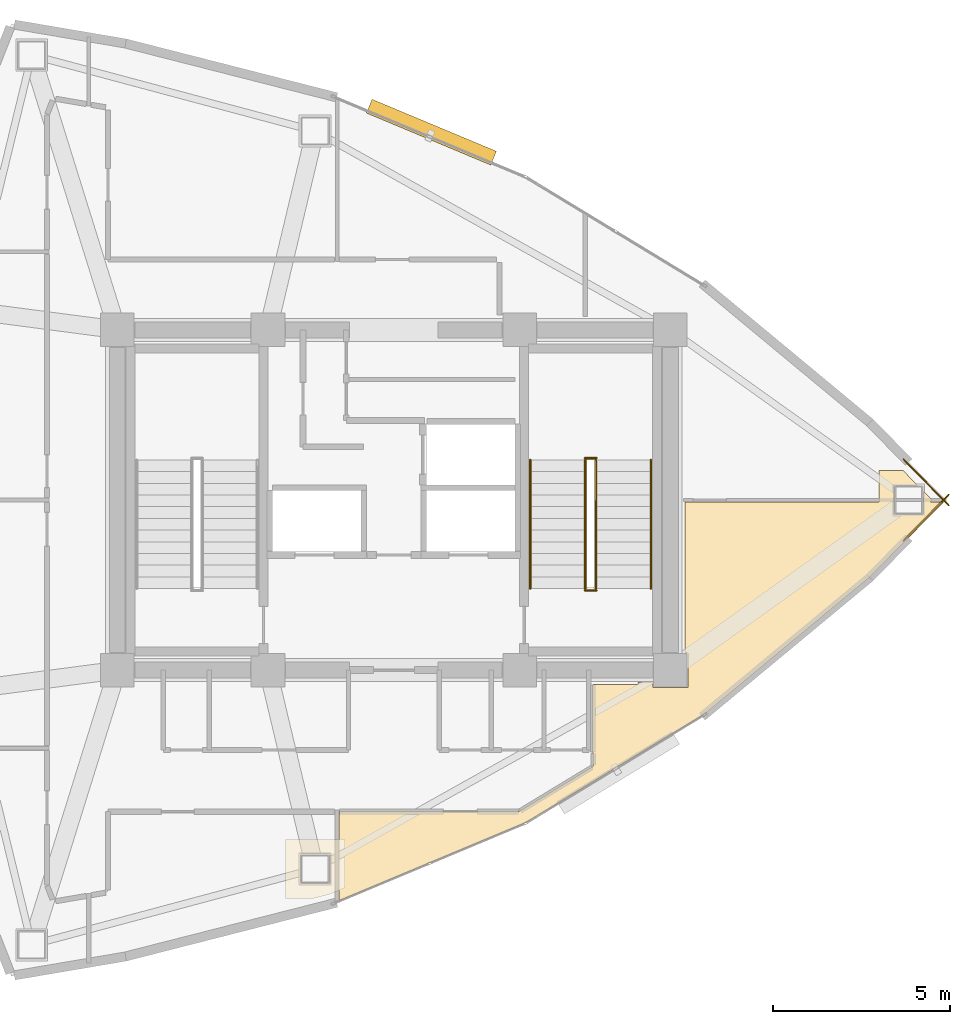
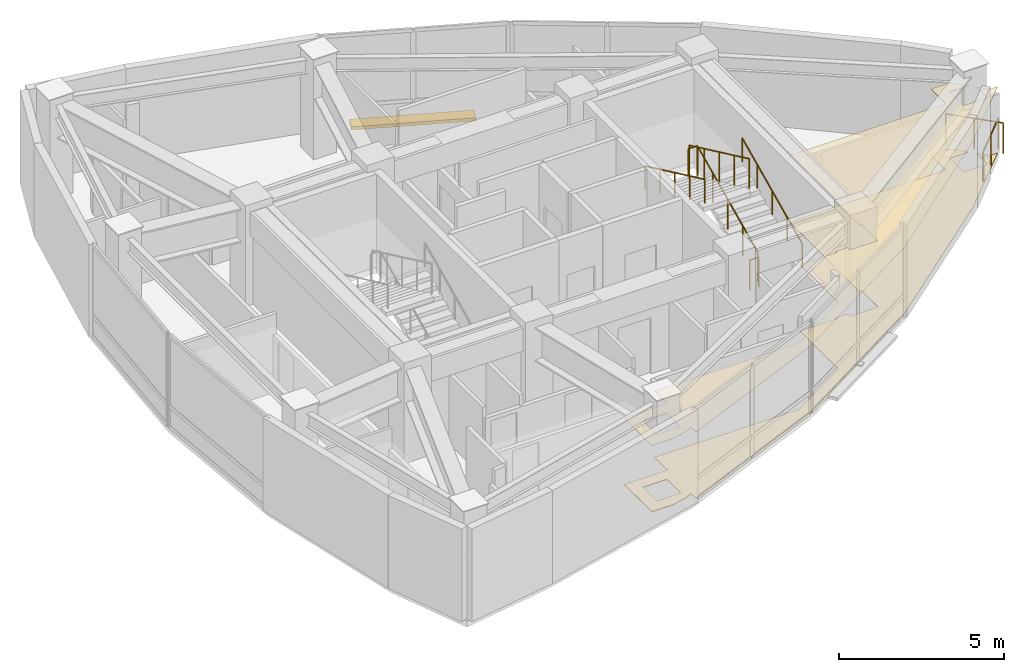
# One storey, part 15 of 15: 8 railings, 2 coverings, 1 shading device.
"""IFC4 building model written with IfcOpenShell, lengths in metres."""

from ifc_helpers import new_model, si_unit, direction, frame, origin, origin_2d, place, context, subcontext, project, spatial, polyline, rectangle, circle, outline, extrude, material, layer, layer_set, type_object, element, save


model = new_model("IFC4")

# Units and contexts
model_context = context("Model", 3, precision=1e-05, world=origin(), true_north=direction((0.0, 1.0)))
body_context = subcontext(model_context, "Body", "Model", "MODEL_VIEW")
ifc_project = project(units=[si_unit("LENGTHUNIT", "METRE"), si_unit("AREAUNIT", "SQUARE_METRE"), si_unit("VOLUMEUNIT", "CUBIC_METRE"), si_unit("PLANEANGLEUNIT", "RADIAN"), si_unit("MASSUNIT", "GRAM", prefix="KILO")], contexts=[model_context])

# Site, building, storey
site_placement = place(None, origin())
site = spatial("IfcSite", under=ifc_project, at=site_placement, CompositionType="ELEMENT")
building_placement = place(site_placement, origin())
building = spatial("IfcBuilding", under=site, at=building_placement, Name="Menara Vayukalpa", CompositionType="ELEMENT")
storey_placement = place(building_placement, frame((0.0, 0.0, 295.5)))
storey = spatial("IfcBuildingStorey", under=building, at=storey_placement, Name="L75", CompositionType="ELEMENT", Elevation=295.5)

# Coverings
ifc_material_1 = material(Name="Mineral Fibre Acoustic Ceiling Tile", Category="masonry")
ifc_layer_1 = layer(ifc_material_1, 0.02490234375)
ifc_layer_set_1 = layer_set([ifc_layer_1], Name="Mineral Fibre Acoustic Ceiling Tile")
covering_type_1 = type_object("IfcCoveringType", Name="COV-CLG1", PredefinedType="CEILING", material=ifc_layer_set_1)
covering_1_placement = place(storey_placement, frame((0.0, 0.0, 2.449951171875)))
element("IfcCovering", 1, at=covering_1_placement, inside=storey, type_object=covering_type_1, Name="L75 Visitor Reception Lounge Acoustic Ceiling", PredefinedType="CEILING", context=body_context, shape_type="SweptSolid", body=[
    extrude(outline(polyline([(24.06005859375, 13.2099609375), (24.06005859375, 13.2109375), (24.060302734375, 13.2119140625), (24.060302734375, 13.212890625), (24.060791015625, 13.2138671875), (24.061279296875, 13.214599609375), (24.061767578125, 13.215576171875), (24.062255859375, 13.21630859375), (24.06298828125, 13.217041015625), (24.063720703125, 13.2177734375), (24.064453125, 13.21826171875), (24.065185546875, 13.21875), (24.066162109375, 13.21923828125), (24.067138671875, 13.219482421875), (24.068115234375, 13.2197265625), (24.069091796875, 13.219970703125), (24.070068359375, 13.219970703125), (29.109619140625, 13.219970703125), (29.11669921875, 13.220458984375), (29.12353515625, 13.221435546875), (29.13037109375, 13.22314453125), (29.13720703125, 13.2255859375), (29.153076171875, 13.232177734375), (29.157958984375, 13.234375), (29.16259765625, 13.237060546875), (31.18603515625, 14.46630859375), (31.1923828125, 14.470458984375), (31.19775390625, 14.47509765625), (31.20263671875, 14.480224609375), (31.20703125, 14.48583984375), (31.2109375, 14.491943359375), (31.214111328125, 14.498291015625), (31.216552734375, 14.5048828125), (31.218505859375, 14.511962890625), (31.219482421875, 14.51904296875), (31.219970703125, 14.5263671875), (31.219970703125, 14.849609375), (31.219482421875, 14.856689453125), (31.21875, 14.86376953125), (31.217041015625, 14.870361328125), (31.214599609375, 14.876708984375), (31.2119140625, 14.8828125), (31.211669921875, 14.883056640625), (31.211181640625, 14.8837890625), (31.210693359375, 14.884765625), (31.21044921875, 14.8857421875), (31.210205078125, 14.88671875), (31.2099609375, 14.8876953125), (31.2099609375, 14.888671875), (31.2099609375, 16.780029296875), (31.2099609375, 16.781005859375), (31.210205078125, 16.781982421875), (31.21044921875, 16.782958984375), (31.210693359375, 16.78369140625), (31.211181640625, 16.78466796875), (31.211669921875, 16.78564453125), (31.21240234375, 16.786376953125), (31.212890625, 16.787109375), (31.213623046875, 16.78759765625), (31.21435546875, 16.788330078125), (31.21533203125, 16.788818359375), (31.21630859375, 16.789306640625), (31.217041015625, 16.78955078125), (31.218017578125, 16.789794921875), (31.218994140625, 16.7900390625), (31.219970703125, 16.7900390625), (32.489990234375, 16.7900390625), (32.489990234375, 16.85009765625), (32.909912109375, 16.85009765625), (32.909912109375, 16.7099609375), (33.889892578125, 16.7099609375), (33.889892578125, 17.68994140625), (33.81005859375, 17.68994140625), (33.81005859375, 21.929931640625), (33.81005859375, 21.930908203125), (33.810302734375, 21.931884765625), (33.810302734375, 21.932861328125), (33.810791015625, 21.933837890625), (33.811279296875, 21.934814453125), (33.811767578125, 21.935546875), (33.812255859375, 21.936279296875), (33.81298828125, 21.93701171875), (33.813720703125, 21.937744140625), (33.814453125, 21.938232421875), (33.815185546875, 21.938720703125), (33.816162109375, 21.939208984375), (33.817138671875, 21.939697265625), (33.818115234375, 21.939697265625), (33.819091796875, 21.93994140625), (33.820068359375, 21.93994140625), (39.286865234375, 21.93994140625), (39.286865234375, 22.8349609375), (39.959716796875, 22.8349609375), (40.3720703125, 22.4150390625), (39.706787109375, 22.4150390625), (39.706787109375, 21.5849609375), (40.536865234375, 21.5849609375), (40.536865234375, 22.2470703125), (40.779541015625, 22.0), (40.720703125, 21.93994140625), (41.0751953125, 21.93994140625), (41.076171875, 21.93994140625), (41.076904296875, 21.939697265625), (41.077880859375, 21.939697265625), (41.078857421875, 21.939208984375), (41.079833984375, 21.938720703125), (41.08056640625, 21.938232421875), (41.081298828125, 21.937744140625), (41.08203125, 21.93701171875), (41.082763671875, 21.936279296875), (41.08349609375, 21.935546875), (41.083984375, 21.934814453125), (41.084228515625, 21.933837890625), (41.084716796875, 21.93310546875), (41.0849609375, 21.931884765625), (41.0849609375, 21.930908203125), (41.085205078125, 21.93017578125), (41.085205078125, 21.92919921875), (41.0849609375, 21.927978515625), (41.084716796875, 21.92724609375), (41.08447265625, 21.92626953125), (41.083984375, 21.92529296875), (41.08349609375, 21.924560546875), (41.0830078125, 21.923583984375), (41.082275390625, 21.923095703125), (39.021240234375, 19.82373046875), (39.0205078125, 19.822998046875), (34.374755859375, 15.97021484375), (34.37353515625, 15.969482421875), (29.3271484375, 12.904052734375), (29.326416015625, 12.90380859375), (29.32568359375, 12.9033203125), (24.073974609375, 10.70654296875), (24.072998046875, 10.7060546875), (24.072021484375, 10.705810546875), (24.071044921875, 10.705810546875), (24.070068359375, 10.705810546875), (24.069091796875, 10.705810546875), (24.068115234375, 10.705810546875), (24.067138671875, 10.7060546875), (24.066162109375, 10.70654296875), (24.065185546875, 10.706787109375), (24.064453125, 10.70751953125), (24.063720703125, 10.7080078125), (24.06298828125, 10.70849609375), (24.062255859375, 10.709228515625), (24.061767578125, 10.710205078125), (24.061279296875, 10.7109375), (24.060791015625, 10.7119140625), (24.060302734375, 10.712890625), (24.060302734375, 10.713623046875), (24.06005859375, 10.714599609375), (24.06005859375, 10.7158203125), (24.06005859375, 10.993408203125), (23.7919921875, 10.881103515625), (23.3173828125, 10.76025390625), (22.546875, 10.76025390625), (22.546875, 12.43017578125), (24.06005859375, 12.43017578125), (24.06005859375, 13.2099609375)]), holes=[polyline([(23.796875, 12.01025390625), (22.966796875, 12.01025390625), (22.966796875, 11.18017578125), (23.796875, 11.18017578125), (23.796875, 12.01025390625)])]), origin(), (0.0, 0.0, 1.0), 0.025146484375),
])
ifc_material_2 = material(Name="Porcelain Stoneware Floor Tile", Category="masonry")
ifc_layer_2 = layer(ifc_material_2, 0.02001953125)
ifc_layer_set_2 = layer_set([ifc_layer_2], Name="Porcelain Stoneware Floor Tile")
covering_type_2 = type_object("IfcCoveringType", Name="COV-FLR1", PredefinedType="FLOORING", material=ifc_layer_set_2)
covering_2_placement = place(storey_placement, origin())
element("IfcCovering", 2, at=covering_2_placement, inside=storey, type_object=covering_type_2, Name="L75 Visitor Reception Lounge Porcelain Flooring", PredefinedType="FLOORING", context=body_context, shape_type="SweptSolid", body=[
    extrude(outline(polyline([(24.06005859375, 13.2099609375), (24.06005859375, 13.2109375), (24.060302734375, 13.2119140625), (24.060302734375, 13.212890625), (24.060791015625, 13.2138671875), (24.061279296875, 13.214599609375), (24.061767578125, 13.215576171875), (24.062255859375, 13.21630859375), (24.06298828125, 13.217041015625), (24.063720703125, 13.2177734375), (24.064453125, 13.21826171875), (24.065185546875, 13.21875), (24.066162109375, 13.21923828125), (24.067138671875, 13.219482421875), (24.068115234375, 13.2197265625), (24.069091796875, 13.219970703125), (24.070068359375, 13.219970703125), (29.109619140625, 13.219970703125), (29.11669921875, 13.220458984375), (29.12353515625, 13.221435546875), (29.13037109375, 13.22314453125), (29.13720703125, 13.2255859375), (29.153076171875, 13.232177734375), (29.157958984375, 13.234375), (29.16259765625, 13.237060546875), (31.18603515625, 14.46630859375), (31.1923828125, 14.470458984375), (31.19775390625, 14.47509765625), (31.20263671875, 14.480224609375), (31.20703125, 14.48583984375), (31.2109375, 14.491943359375), (31.214111328125, 14.498291015625), (31.216552734375, 14.5048828125), (31.218505859375, 14.511962890625), (31.219482421875, 14.51904296875), (31.219970703125, 14.5263671875), (31.219970703125, 14.849609375), (31.219482421875, 14.856689453125), (31.21875, 14.86376953125), (31.217041015625, 14.870361328125), (31.214599609375, 14.876708984375), (31.2119140625, 14.8828125), (31.211669921875, 14.883056640625), (31.211181640625, 14.8837890625), (31.210693359375, 14.884765625), (31.21044921875, 14.8857421875), (31.210205078125, 14.88671875), (31.2099609375, 14.8876953125), (31.2099609375, 14.888671875), (31.2099609375, 16.780029296875), (31.2099609375, 16.781005859375), (31.210205078125, 16.781982421875), (31.21044921875, 16.782958984375), (31.210693359375, 16.78369140625), (31.211181640625, 16.78466796875), (31.211669921875, 16.78564453125), (31.21240234375, 16.786376953125), (31.212890625, 16.787109375), (31.213623046875, 16.78759765625), (31.21435546875, 16.788330078125), (31.21533203125, 16.788818359375), (31.21630859375, 16.789306640625), (31.217041015625, 16.78955078125), (31.218017578125, 16.789794921875), (31.218994140625, 16.7900390625), (31.219970703125, 16.7900390625), (32.489990234375, 16.7900390625), (32.489990234375, 16.85009765625), (32.909912109375, 16.85009765625), (32.909912109375, 16.7099609375), (33.889892578125, 16.7099609375), (33.889892578125, 17.68994140625), (33.81005859375, 17.68994140625), (33.81005859375, 21.929931640625), (33.81005859375, 21.930908203125), (33.810302734375, 21.931884765625), (33.810302734375, 21.932861328125), (33.810791015625, 21.933837890625), (33.811279296875, 21.934814453125), (33.811767578125, 21.935546875), (33.812255859375, 21.936279296875), (33.81298828125, 21.93701171875), (33.813720703125, 21.937744140625), (33.814453125, 21.938232421875), (33.815185546875, 21.938720703125), (33.816162109375, 21.939208984375), (33.817138671875, 21.939697265625), (33.818115234375, 21.939697265625), (33.819091796875, 21.93994140625), (33.820068359375, 21.93994140625), (39.286865234375, 21.93994140625), (39.286865234375, 22.8349609375), (39.959716796875, 22.8349609375), (40.3720703125, 22.4150390625), (39.706787109375, 22.4150390625), (39.706787109375, 21.5849609375), (40.536865234375, 21.5849609375), (40.536865234375, 22.2470703125), (40.779541015625, 22.0), (40.720703125, 21.93994140625), (41.0751953125, 21.93994140625), (41.076171875, 21.93994140625), (41.076904296875, 21.939697265625), (41.077880859375, 21.939697265625), (41.078857421875, 21.939208984375), (41.079833984375, 21.938720703125), (41.08056640625, 21.938232421875), (41.081298828125, 21.937744140625), (41.08203125, 21.93701171875), (41.082763671875, 21.936279296875), (41.08349609375, 21.935546875), (41.083984375, 21.934814453125), (41.084228515625, 21.933837890625), (41.084716796875, 21.93310546875), (41.0849609375, 21.931884765625), (41.0849609375, 21.930908203125), (41.085205078125, 21.93017578125), (41.085205078125, 21.92919921875), (41.0849609375, 21.927978515625), (41.084716796875, 21.92724609375), (41.08447265625, 21.92626953125), (41.083984375, 21.92529296875), (41.08349609375, 21.924560546875), (41.0830078125, 21.923583984375), (41.082275390625, 21.923095703125), (39.021240234375, 19.82373046875), (39.0205078125, 19.822998046875), (34.374755859375, 15.97021484375), (34.37353515625, 15.969482421875), (29.3271484375, 12.904052734375), (29.326416015625, 12.90380859375), (29.32568359375, 12.9033203125), (24.073974609375, 10.70654296875), (24.072998046875, 10.7060546875), (24.072021484375, 10.705810546875), (24.071044921875, 10.705810546875), (24.070068359375, 10.705810546875), (24.069091796875, 10.705810546875), (24.068115234375, 10.705810546875), (24.067138671875, 10.7060546875), (24.066162109375, 10.70654296875), (24.065185546875, 10.706787109375), (24.064453125, 10.70751953125), (24.063720703125, 10.7080078125), (24.06298828125, 10.70849609375), (24.062255859375, 10.709228515625), (24.061767578125, 10.710205078125), (24.061279296875, 10.7109375), (24.060791015625, 10.7119140625), (24.060302734375, 10.712890625), (24.060302734375, 10.713623046875), (24.06005859375, 10.714599609375), (24.06005859375, 10.7158203125), (24.06005859375, 10.993408203125), (23.7919921875, 10.881103515625), (23.3173828125, 10.76025390625), (22.546875, 10.76025390625), (22.546875, 12.43017578125), (24.06005859375, 12.43017578125), (24.06005859375, 13.2099609375)]), holes=[polyline([(23.796875, 12.01025390625), (22.966796875, 12.01025390625), (22.966796875, 11.18017578125), (23.796875, 11.18017578125), (23.796875, 12.01025390625)])]), origin(), (0.0, 0.0, 1.0), 0.02001953125),
])

# Railings
ifc_material_3 = material(Name="Laminated Glass and Stainless Steel 316 Guardrail", Category="steel")
railing_type_1 = type_object("IfcRailingType", Name="RLG-EXT115", PredefinedType="GUARDRAIL", material=ifc_material_3)
railing_1_placement = place(storey_placement, frame((39.976318359375, 20.853515625, 0.0)))
element("IfcRailing", 3, at=railing_1_placement, inside=storey, type_object=railing_type_1, Name="L75 Column Corner Spandrel Guardrail 01-1", PredefinedType="GUARDRAIL", context=body_context, shape_type="SweptSolid", body=[
    extrude(circle(Radius=0.02392578125, at=origin_2d()), frame((0.0, 0.0, 1.1259765625), z_axis=(0.700555224103, 0.713598190848, 0.0), x_axis=(-0.713598190848, 0.700555224103, 0.0)), (0.0, 0.0, 1.0), 1.815673828125),
    extrude(circle(Radius=0.02099609375, at=origin_2d()), origin(), (0.0, 0.0, 1.0), 1.101806640625),
    extrude(circle(Radius=0.02099609375, at=origin_2d()), frame((0.635986328125, 0.64794921875, 0.0)), (0.0, 0.0, 1.0), 1.101806640625),
    extrude(circle(Radius=0.02099609375, at=origin_2d()), frame((1.27197265625, 1.295654296875, 0.0)), (0.0, 0.0, 1.0), 1.101806640625),
])
railing_2_placement = place(storey_placement, frame((41.248291015625, 21.850830078125, 0.0)))
element("IfcRailing", 4, at=railing_2_placement, inside=storey, type_object=railing_type_1, Name="L75 Column Corner Spandrel Guardrail 02-1", PredefinedType="GUARDRAIL", context=body_context, shape_type="SweptSolid", body=[
    extrude(circle(Radius=0.02392578125, at=origin_2d()), frame((0.0, 0.0, 1.1259765625), z_axis=(-0.700555224103, 0.713598190848, 0.0), x_axis=(-0.713598190848, -0.700555224103, 0.0)), (0.0, 0.0, 1.0), 1.815673828125),
    extrude(circle(Radius=0.02099609375, at=origin_2d()), origin(), (0.0, 0.0, 1.0), 1.101806640625),
    extrude(circle(Radius=0.02099609375, at=origin_2d()), frame((-0.635986328125, 0.64794921875, 0.0)), (0.0, 0.0, 1.0), 1.101806640625),
    extrude(circle(Radius=0.02099609375, at=origin_2d()), frame((-1.27197265625, 1.295654296875, 0.0)), (0.0, 0.0, 1.0), 1.101806640625),
])
ifc_material_4 = material(Name="Powder-Coated Galvanised Steel Guardrail", Category="steel")
railing_type_2 = type_object("IfcRailingType", Name="RLG-STG110", PredefinedType="GUARDRAIL", material=ifc_material_4)
railing_3_placement = place(storey_placement, frame((31.300048828125, 19.5, 0.155029296875)))
element("IfcRailing", 5, at=railing_3_placement, inside=storey, type_object=railing_type_2, Name="L75 ST-2 stair guard 1", PredefinedType="GUARDRAIL", context=body_context, shape_type="SweptSolid", body=[
    extrude(circle(Radius=0.02392578125, at=origin_2d()), frame((0.0, 0.0, 1.09619140625), z_axis=(0.0, 0.90511648382, 0.425163675209), x_axis=(-1.0, 0.0, 0.0)), (0.0, 0.0, 1.0), 4.010498046875),
    extrude(circle(Radius=0.02099609375, at=origin_2d()), origin(), (0.0, 0.0, 1.0), 1.072021484375),
    extrude(circle(Radius=0.02099609375, at=origin_2d()), frame((0.0, 0.907470703125, 0.42626953125)), (0.0, 0.0, 1.0), 1.072021484375),
    extrude(circle(Radius=0.02099609375, at=origin_2d()), frame((0.0, 1.81494140625, 0.8525390625)), (0.0, 0.0, 1.0), 1.072021484375),
    extrude(circle(Radius=0.02099609375, at=origin_2d()), frame((0.0, 2.722412109375, 1.27880859375)), (0.0, 0.0, 1.0), 1.072021484375),
    extrude(circle(Radius=0.02099609375, at=origin_2d()), frame((0.0, 3.6298828125, 1.705078125)), (0.0, 0.0, 1.0), 1.072021484375),
])
railing_4_placement = place(storey_placement, frame((31.31005859375, 23.179931640625, 1.860107421875)))
element("IfcRailing", 6, at=railing_4_placement, inside=storey, type_object=railing_type_2, Name="L75 ST-2 stair guard 2", PredefinedType="GUARDRAIL", context=body_context, shape_type="SweptSolid", body=[
    extrude(circle(Radius=0.02392578125, at=origin_2d()), frame((0.0, 0.0, 1.09619140625), z_axis=(-1.0, 0.0, 0.0), x_axis=(0.0, -1.0, 0.0)), (0.0, 0.0, 1.0), 0.320068359375),
    extrude(circle(Radius=0.02099609375, at=origin_2d()), origin(), (0.0, 0.0, 1.0), 1.072021484375),
    extrude(circle(Radius=0.02099609375, at=origin_2d()), frame((-0.320068359375, 0.0, 0.0)), (0.0, 0.0, 1.0), 1.072021484375),
])
railing_5_placement = place(storey_placement, frame((31.0, 23.1298828125, 2.014892578125)))
element("IfcRailing", 7, at=railing_5_placement, inside=storey, type_object=railing_type_2, Name="L75 ST-2 stair guard 3", PredefinedType="GUARDRAIL", context=body_context, shape_type="SweptSolid", body=[
    extrude(circle(Radius=0.02392578125, at=origin_2d()), frame((0.0, 0.0, 1.09619140625), z_axis=(0.0, -0.90511648382, 0.425163675209), x_axis=(1.0, 0.0, 0.0)), (0.0, 0.0, 1.0), 4.010498046875),
    extrude(circle(Radius=0.02099609375, at=origin_2d()), origin(), (0.0, 0.0, 1.0), 1.072021484375),
    extrude(circle(Radius=0.02099609375, at=origin_2d()), frame((0.0, -0.907470703125, 0.42626953125)), (0.0, 0.0, 1.0), 1.072021484375),
    extrude(circle(Radius=0.02099609375, at=origin_2d()), frame((0.0, -1.81494140625, 0.8525390625)), (0.0, 0.0, 1.0), 1.072021484375),
    extrude(circle(Radius=0.02099609375, at=origin_2d()), frame((0.0, -2.722412109375, 1.27880859375)), (0.0, 0.0, 1.0), 1.072021484375),
    extrude(circle(Radius=0.02099609375, at=origin_2d()), frame((0.0, -3.6298828125, 1.705078125)), (0.0, 0.0, 1.0), 1.072021484375),
])
railing_6_placement = place(storey_placement, frame((31.31005859375, 19.449951171875, 0.0)))
element("IfcRailing", 8, at=railing_6_placement, inside=storey, type_object=railing_type_2, Name="L75 ST-2 stair guard 4", PredefinedType="GUARDRAIL", context=body_context, shape_type="SweptSolid", body=[
    extrude(circle(Radius=0.02392578125, at=origin_2d()), frame((0.0, 0.0, 1.09619140625), z_axis=(-1.0, 0.0, 0.0), x_axis=(0.0, -1.0, 0.0)), (0.0, 0.0, 1.0), 0.320068359375),
    extrude(circle(Radius=0.02099609375, at=origin_2d()), origin(), (0.0, 0.0, 1.0), 1.072021484375),
    extrude(circle(Radius=0.02099609375, at=origin_2d()), frame((-0.320068359375, 0.0, 0.0)), (0.0, 0.0, 1.0), 1.072021484375),
])
ifc_material_5 = material(Name="Stainless Steel 316 Tubular Handrail", Category="steel")
railing_type_3 = type_object("IfcRailingType", Name="RLG-STH090", PredefinedType="HANDRAIL", material=ifc_material_5)
railing_7_placement = place(storey_placement, frame((32.85009765625, 19.5, 0.155029296875)))
element("IfcRailing", 9, at=railing_7_placement, inside=storey, type_object=railing_type_3, Name="L75 ST-2 stair handrail 1", PredefinedType="HANDRAIL", context=body_context, shape_type="SweptSolid", body=[
    extrude(circle(Radius=0.02392578125, at=origin_2d()), frame((0.0, 0.0, 0.8759765625), z_axis=(0.0, 0.90511648382, 0.425163675209), x_axis=(-1.0, 0.0, 0.0)), (0.0, 0.0, 1.0), 4.010498046875),
    extrude(circle(Radius=0.02099609375, at=origin_2d()), origin(), (0.0, 0.0, 1.0), 0.851806640625),
    extrude(circle(Radius=0.02099609375, at=origin_2d()), frame((0.0, 0.907470703125, 0.42626953125)), (0.0, 0.0, 1.0), 0.851806640625),
    extrude(circle(Radius=0.02099609375, at=origin_2d()), frame((0.0, 1.81494140625, 0.8525390625)), (0.0, 0.0, 1.0), 0.851806640625),
    extrude(circle(Radius=0.02099609375, at=origin_2d()), frame((0.0, 2.722412109375, 1.27880859375)), (0.0, 0.0, 1.0), 0.851806640625),
    extrude(circle(Radius=0.02099609375, at=origin_2d()), frame((0.0, 3.6298828125, 1.705078125)), (0.0, 0.0, 1.0), 0.851806640625),
])
railing_8_placement = place(storey_placement, frame((29.449951171875, 23.1298828125, 2.014892578125)))
element("IfcRailing", 10, at=railing_8_placement, inside=storey, type_object=railing_type_3, Name="L75 ST-2 stair handrail 2", PredefinedType="HANDRAIL", context=body_context, shape_type="SweptSolid", body=[
    extrude(circle(Radius=0.02392578125, at=origin_2d()), frame((0.0, 0.0, 0.8759765625), z_axis=(0.0, -0.90511648382, 0.425163675209), x_axis=(1.0, 0.0, 0.0)), (0.0, 0.0, 1.0), 4.010498046875),
    extrude(circle(Radius=0.02099609375, at=origin_2d()), origin(), (0.0, 0.0, 1.0), 0.851806640625),
    extrude(circle(Radius=0.02099609375, at=origin_2d()), frame((0.0, -0.907470703125, 0.42626953125)), (0.0, 0.0, 1.0), 0.851806640625),
    extrude(circle(Radius=0.02099609375, at=origin_2d()), frame((0.0, -1.81494140625, 0.8525390625)), (0.0, 0.0, 1.0), 0.851806640625),
    extrude(circle(Radius=0.02099609375, at=origin_2d()), frame((0.0, -2.722412109375, 1.27880859375)), (0.0, 0.0, 1.0), 0.851806640625),
    extrude(circle(Radius=0.02099609375, at=origin_2d()), frame((0.0, -3.6298828125, 1.705078125)), (0.0, 0.0, 1.0), 0.851806640625),
])

# Shading device
ifc_material_6 = material(Name="Glazed Terracotta Ceramic Baguette Extrusion", Category="masonry")
ifc_layer_3 = layer(ifc_material_6, 0.1201171875)
ifc_layer_set_3 = layer_set([ifc_layer_3], Name="Glazed Terracotta Ceramic Baguette Extrusion")
shading_device_type = type_object("IfcShadingDeviceType", Name="SHD-SS1", PredefinedType="USERDEFINED", material=ifc_layer_set_3)
shading_device_placement = place(storey_placement, frame((26.66015625, 32.374267578125, -0.10009765625), z_axis=(0.0, 0.0, 1.0), x_axis=(-0.922538089456, 0.385906042324, 0.0)))
element("IfcShadingDevice", 11, at=shading_device_placement, inside=storey, type_object=shading_device_type, Name="L75 Horizontal Terracotta Sunshade Band 05", ObjectType="SUNSHADE", PredefinedType="USERDEFINED", context=body_context, shape_type="SweptSolid", body=[
    extrude(rectangle(XDim=3.800048828125, YDim=0.419921875, at=origin_2d()), origin(), (0.0, 0.0, 1.0), 0.1201171875),
])

save(model, "model.ifc")
